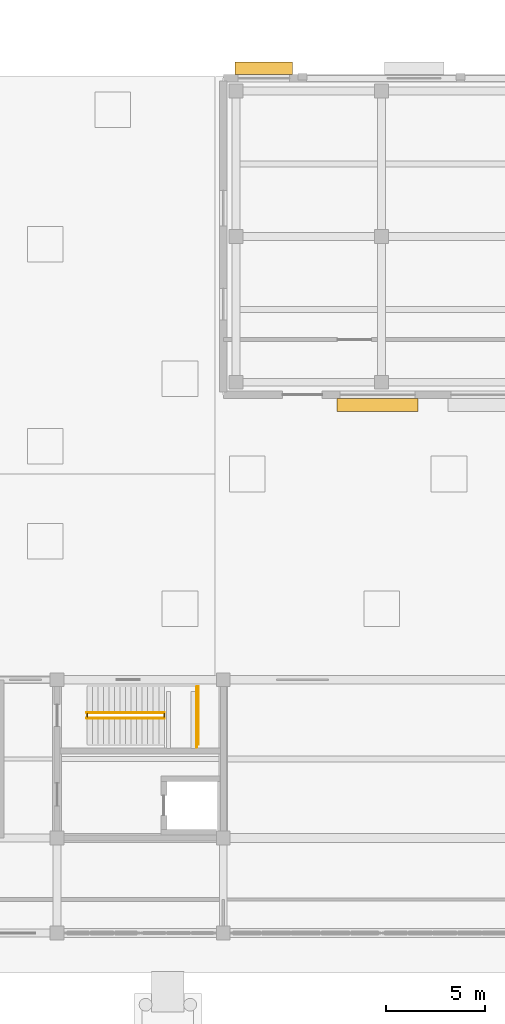
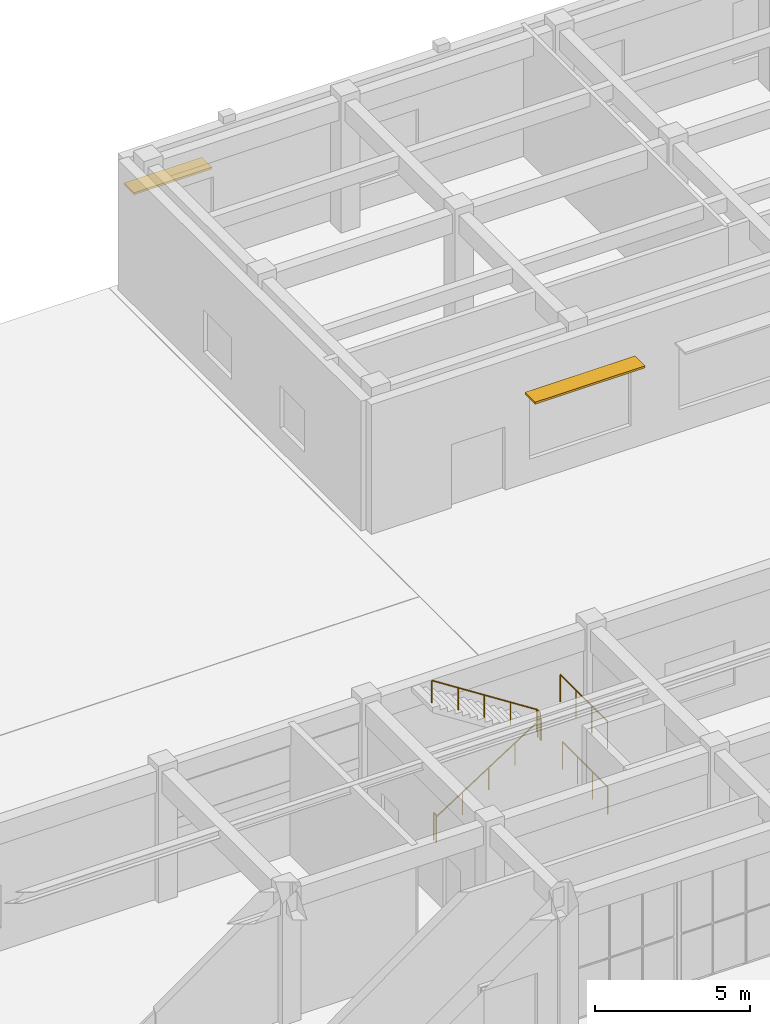
# One storey, part 43 of 46: 6 railings, 2 shading devices.
"""IFC4 building model written with IfcOpenShell, lengths in metres."""

from ifc_helpers import new_model, si_unit, direction, frame, origin, origin_2d, place, context, subcontext, project, spatial, rectangle, circle, extrude, material, type_object, element, save


model = new_model("IFC4")

# Units and contexts
model_context = context("Model", 3, precision=1e-05, world=origin(), true_north=direction((0.0, 1.0)))
body_context = subcontext(model_context, "Body", "Model", "MODEL_VIEW")
ifc_project = project(units=[si_unit("LENGTHUNIT", "METRE"), si_unit("AREAUNIT", "SQUARE_METRE"), si_unit("VOLUMEUNIT", "CUBIC_METRE"), si_unit("PLANEANGLEUNIT", "RADIAN"), si_unit("MASSUNIT", "GRAM", prefix="KILO")], contexts=[model_context])

# Site, building, storey
site_placement = place(None, origin())
site = spatial("IfcSite", under=ifc_project, at=site_placement, CompositionType="ELEMENT")
building_placement = place(site_placement, origin())
building = spatial("IfcBuilding", under=site, at=building_placement, Name="Cinchona Park Media Centre", CompositionType="ELEMENT")
storey_placement = place(building_placement, origin())
storey = spatial("IfcBuildingStorey", under=building, at=storey_placement, Name="L00", CompositionType="ELEMENT", Elevation=0.0)

# Railings
ifc_material_1 = material(Name="Painted Steel Stairwell Guardrail", Category="steel")
railing_type_1 = type_object("IfcRailingType", Name="RAILING-GR02", PredefinedType="GUARDRAIL", material=ifc_material_1)
railing_1_placement = place(storey_placement, frame((87.93505859375, 85.719970703125, 0.0)))
element("IfcRailing", 1, at=railing_1_placement, inside=storey, type_object=railing_type_1, Name="Stairwell Guardrail GR02 ST5 L00", PredefinedType="GUARDRAIL", context=body_context, shape_type="SweptSolid", body=[
    extrude(circle(Radius=0.02392578125, at=origin_2d()), frame((0.0, 0.0, 1.076171875), z_axis=(0.0, 1.0, 0.0), x_axis=(-1.0, 0.0, 0.0)), (0.0, 0.0, 1.0), 0.159912109375),
    extrude(circle(Radius=0.02099609375, at=origin_2d()), origin(), (0.0, 0.0, 1.0), 1.052001953125),
    extrude(circle(Radius=0.02099609375, at=origin_2d()), frame((0.0, 0.159912109375, 0.0)), (0.0, 0.0, 1.0), 1.052001953125),
])
railing_2_placement = place(storey_placement, frame((93.5400390625, 84.340087890625, 0.0)))
element("IfcRailing", 2, at=railing_2_placement, inside=storey, type_object=railing_type_1, Name="Stairwell East Guardrail GR02 ST5 L00", PredefinedType="GUARDRAIL", context=body_context, shape_type="SweptSolid", body=[
    extrude(circle(Radius=0.02392578125, at=origin_2d()), frame((0.0, 0.0, 1.076171875), z_axis=(0.0, 1.0, 0.0), x_axis=(-1.0, 0.0, 0.0)), (0.0, 0.0, 1.0), 2.919921875),
    extrude(circle(Radius=0.02099609375, at=origin_2d()), origin(), (0.0, 0.0, 1.0), 1.052001953125),
    extrude(circle(Radius=0.02099609375, at=origin_2d()), frame((0.0, 0.973388671875, 0.0)), (0.0, 0.0, 1.0), 1.052001953125),
    extrude(circle(Radius=0.02099609375, at=origin_2d()), frame((0.0, 1.946533203125, 0.0)), (0.0, 0.0, 1.0), 1.052001953125),
    extrude(circle(Radius=0.02099609375, at=origin_2d()), frame((0.0, 2.919921875, 0.0)), (0.0, 0.0, 1.0), 1.052001953125),
])
railing_3_placement = place(storey_placement, frame((91.820068359375, 85.719970703125, 2.699951171875)))
element("IfcRailing", 3, at=railing_3_placement, inside=storey, type_object=railing_type_1, Name="Half-Landing Guardrail GR02 ST5 L00", PredefinedType="GUARDRAIL", context=body_context, shape_type="SweptSolid", body=[
    extrude(circle(Radius=0.02392578125, at=origin_2d()), frame((0.0, 0.0, 1.076171875), z_axis=(0.0, 1.0, 0.0), x_axis=(-1.0, 0.0, 0.0)), (0.0, 0.0, 1.0), 0.159912109375),
    extrude(circle(Radius=0.02099609375, at=origin_2d()), origin(), (0.0, 0.0, 1.0), 1.052001953125),
    extrude(circle(Radius=0.02099609375, at=origin_2d()), frame((0.0, 0.159912109375, 0.0)), (0.0, 0.0, 1.0), 1.052001953125),
])
railing_4_placement = place(storey_placement, frame((93.449951171875, 84.195068359375, 2.699951171875)))
element("IfcRailing", 4, at=railing_4_placement, inside=storey, type_object=railing_type_1, Name="Half-Landing Back Guardrail GR02 ST5 L00", PredefinedType="GUARDRAIL", context=body_context, shape_type="SweptSolid", body=[
    extrude(circle(Radius=0.02392578125, at=origin_2d()), frame((0.0, 0.0, 1.076171875), z_axis=(0.0, 1.0, 0.0), x_axis=(-1.0, 0.0, 0.0)), (0.0, 0.0, 1.0), 3.044921875),
    extrude(circle(Radius=0.02099609375, at=origin_2d()), origin(), (0.0, 0.0, 1.0), 1.052001953125),
    extrude(circle(Radius=0.02099609375, at=origin_2d()), frame((0.0, 1.014892578125, 0.0)), (0.0, 0.0, 1.0), 1.052001953125),
    extrude(circle(Radius=0.02099609375, at=origin_2d()), frame((0.0, 2.030029296875, 0.0)), (0.0, 0.0, 1.0), 1.052001953125),
    extrude(circle(Radius=0.02099609375, at=origin_2d()), frame((0.0, 3.044921875, 0.0)), (0.0, 0.0, 1.0), 1.052001953125),
])
ifc_material_2 = material(Name="Brushed Stainless Steel Handrail", Category="steel")
railing_type_2 = type_object("IfcRailingType", Name="RAILING-HR01", PredefinedType="HANDRAIL", material=ifc_material_2)
railing_5_placement = place(storey_placement, frame((87.89990234375, 85.659912109375, 0.179931640625)))
element("IfcRailing", 5, at=railing_5_placement, inside=storey, type_object=railing_type_2, Name="Stair Handrail HR01 ST5 L00 F1", PredefinedType="HANDRAIL", context=body_context, shape_type="SweptSolid", body=[
    extrude(circle(Radius=0.02392578125, at=origin_2d()), frame((0.0, 0.0, 0.8759765625), z_axis=(0.841186985886, 0.0, 0.540744352514), x_axis=(0.0, 1.0, 0.0)), (0.0, 0.0, 1.0), 4.660400390625),
    extrude(circle(Radius=0.02099609375, at=origin_2d()), origin(), (0.0, 0.0, 1.0), 0.851806640625),
    extrude(circle(Radius=0.02099609375, at=origin_2d()), frame((0.97998046875, 0.0, 0.6298828125)), (0.0, 0.0, 1.0), 0.851806640625),
    extrude(circle(Radius=0.02099609375, at=origin_2d()), frame((1.9599609375, 0.0, 1.260009765625)), (0.0, 0.0, 1.0), 0.851806640625),
    extrude(circle(Radius=0.02099609375, at=origin_2d()), frame((2.940185546875, 0.0, 1.89013671875)), (0.0, 0.0, 1.0), 0.851806640625),
    extrude(circle(Radius=0.02099609375, at=origin_2d()), frame((3.920166015625, 0.0, 2.52001953125)), (0.0, 0.0, 1.0), 0.851806640625),
])
railing_6_placement = place(storey_placement, frame((91.820068359375, 85.93994140625, 2.8798828125)))
element("IfcRailing", 6, at=railing_6_placement, inside=storey, type_object=railing_type_2, Name="Stair Handrail HR01 ST5 L00 F2", PredefinedType="HANDRAIL", context=body_context, shape_type="SweptSolid", body=[
    extrude(circle(Radius=0.02392578125, at=origin_2d()), frame((0.0, 0.0, 0.8759765625), z_axis=(-0.841186985886, 0.0, 0.540744352514), x_axis=(0.0, -1.0, 0.0)), (0.0, 0.0, 1.0), 4.660400390625),
    extrude(circle(Radius=0.02099609375, at=origin_2d()), origin(), (0.0, 0.0, 1.0), 0.851806640625),
    extrude(circle(Radius=0.02099609375, at=origin_2d()), frame((-0.97998046875, 0.0, 0.6298828125)), (0.0, 0.0, 1.0), 0.851806640625),
    extrude(circle(Radius=0.02099609375, at=origin_2d()), frame((-1.9599609375, 0.0, 1.260009765625)), (0.0, 0.0, 1.0), 0.851806640625),
    extrude(circle(Radius=0.02099609375, at=origin_2d()), frame((-2.940185546875, 0.0, 1.89013671875)), (0.0, 0.0, 1.0), 0.851806640625),
    extrude(circle(Radius=0.02099609375, at=origin_2d()), frame((-3.920166015625, 0.0, 2.52001953125)), (0.0, 0.0, 1.0), 0.851806640625),
])

# Shading devices
ifc_material_3 = material(Name="Anodised Aluminium Horizontal Brise-Soleil", Category="aluminium")
shading_device_type = type_object("IfcShadingDeviceType", Name="SHADING-SUN01", PredefinedType="AWNING", material=ifc_material_3)
shading_device_1_placement = place(storey_placement, frame((96.85009765625, 118.510009765625, 3.27001953125), z_axis=(0.0, 0.0, 1.0), x_axis=(1.0, 0.0, 0.0)))
element("IfcShadingDevice", 7, at=shading_device_1_placement, inside=storey, type_object=shading_device_type, Name="Horizontal Sunshade SHD02 L00", PredefinedType="AWNING", context=body_context, shape_type="SweptSolid", body=[
    extrude(rectangle(XDim=2.89990234375, YDim=0.64990234375, at=origin_2d()), origin(), (0.0, 0.0, 1.0), 0.080078125),
])
shading_device_2_placement = place(storey_placement, frame((102.60009765625, 101.489990234375, 3.52001953125), z_axis=(0.0, 0.0, 1.0), x_axis=(-1.0, 0.0, 0.0)))
element("IfcShadingDevice", 8, at=shading_device_2_placement, inside=storey, type_object=shading_device_type, Name="Horizontal Sunshade SHD02 L00", PredefinedType="AWNING", context=body_context, shape_type="SweptSolid", body=[
    extrude(rectangle(XDim=4.10009765625, YDim=0.64990234375, at=origin_2d()), origin(), (0.0, 0.0, 1.0), 0.080078125),
])

save(model, "model.ifc")
